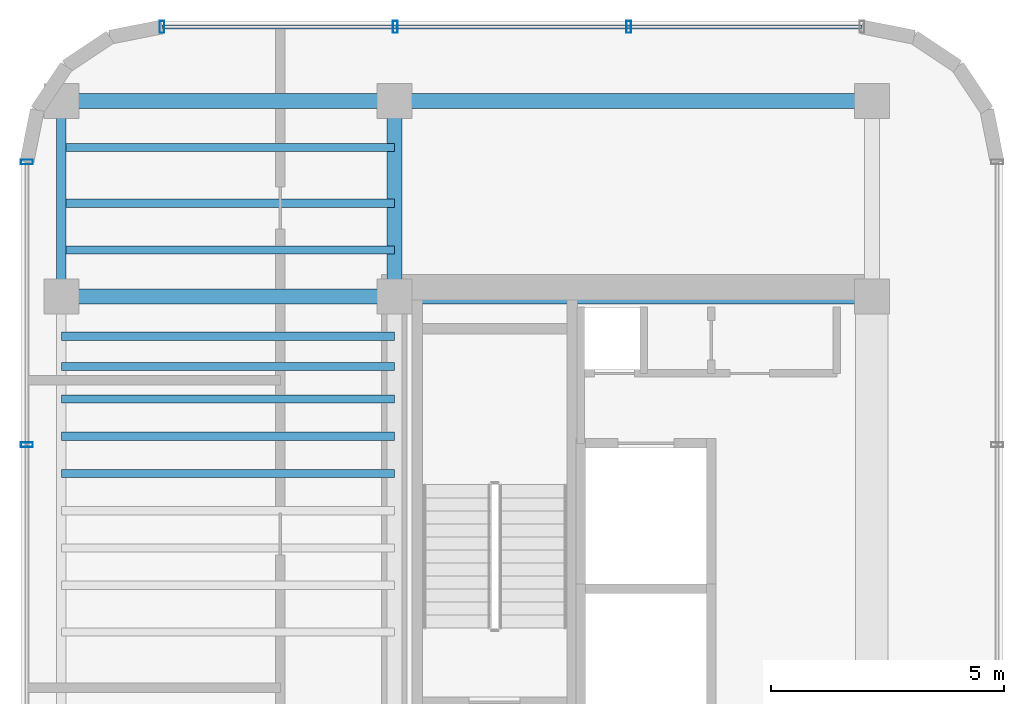
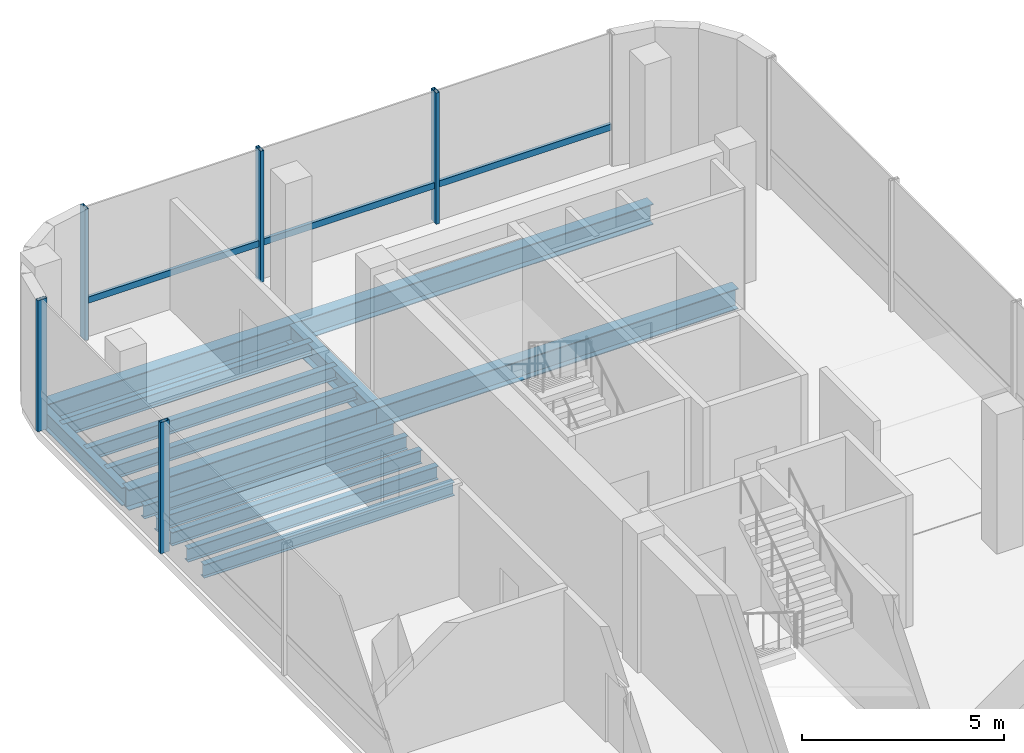
# One storey, part 7 of 11: 14 beams, 6 members, 2 elements without a shape of their own.
"""IFC4 building model written with IfcOpenShell, lengths in metres."""

import ifcopenshell
import ifcopenshell.guid

model = None  # the IFC model being written
_history = None  # IfcOwnerHistory: only IFC2X3 demands one
_inside = {}  # id of a spatial element -> (the spatial element, [elements in it])
_under = {}  # id of a project, library or spatial element -> (it, [spatial elements below it])
_declared = {}  # id of a project -> (the project, [libraries it declares])
_typed = {}  # id of a type object -> (the type object, [elements of that type])
_made_of = {}  # id of a material, layer set ... -> (it, [elements and type objects made of it])


def new_model(schema):
    """Start an empty IFC model of exactly this schema.

    Asked for "IFC4X3", IfcOpenShell would pick the latest addendum, in which some entities
    have other attributes; the version numbers below select the first issue.
    IFC2X3 requires an IfcOwnerHistory on every rooted entity: one is made here for all.
    """
    global model, _history
    if schema == "IFC4X3":
        model = ifcopenshell.file(schema_version=(4, 3, 0, 0))
    else:
        model = ifcopenshell.file(schema=schema)
    _inside.clear()
    _under.clear()
    _declared.clear()
    _typed.clear()
    _made_of.clear()
    _history = None
    if model.schema == "IFC2X3":
        org = make("IfcOrganization", Name="unknown")
        user = make(
            "IfcPersonAndOrganization",
            ThePerson=make("IfcPerson", FamilyName="unknown"),
            TheOrganization=org,
        )
        app = make(
            "IfcApplication",
            ApplicationDeveloper=org,
            Version="unknown",
            ApplicationFullName="unknown",
            ApplicationIdentifier="unknown",
        )
        _history = make(
            "IfcOwnerHistory",
            OwningUser=user,
            OwningApplication=app,
            ChangeAction="ADDED",
            CreationDate=0,
        )
    return model


def make(cls, **values):
    """One entity of the class cls with the attributes given. An attribute that is None is left unset."""
    return model.create_entity(
        cls, **{name: value for name, value in values.items() if value is not None}
    )


def rooted(cls, **values):
    """An entity with a GlobalId (a new one), such as an element, a storey or a relation."""
    return make(cls, GlobalId=ifcopenshell.guid.new(), OwnerHistory=_history, **values)


def si_unit(unit_type, name, prefix=None):
    """IfcSIUnit, for example si_unit("LENGTHUNIT", "METRE", prefix="MILLI")."""
    return make("IfcSIUnit", UnitType=unit_type, Prefix=prefix, Name=name)


def assignment(units):
    """IfcUnitAssignment: the units of a project."""
    return None if units is None else make("IfcUnitAssignment", Units=units)


def point(xyz):
    """IfcCartesianPoint."""
    return None if xyz is None else make("IfcCartesianPoint", Coordinates=xyz)


def direction(xyz):
    """IfcDirection."""
    return None if xyz is None else make("IfcDirection", DirectionRatios=xyz)


def frame(location, z_axis=None, x_axis=None):
    """IfcAxis2Placement3D, a coordinate frame: its origin and axes. An axis left out is left unset."""
    return make(
        "IfcAxis2Placement3D",
        Location=point(location),
        Axis=direction(z_axis),
        RefDirection=direction(x_axis),
    )


def frame_2d(location, x_axis=None):
    """IfcAxis2Placement2D, a coordinate frame in the plane: its origin and x axis."""
    return make(
        "IfcAxis2Placement2D", Location=point(location), RefDirection=direction(x_axis)
    )


def origin():
    """The frame at (0, 0, 0) with its axes left unset."""
    return frame((0.0, 0.0, 0.0))


def origin_2d():
    """The frame at (0, 0) in the plane with its x axis left unset."""
    return frame_2d((0.0, 0.0))


def place(relative_to, where):
    """IfcLocalPlacement: puts the frame where relative to a parent placement (None: the world)."""
    return make(
        "IfcLocalPlacement", PlacementRelTo=relative_to, RelativePlacement=where
    )


def context(
    kind, dimensions, precision=None, world=None, true_north=None, identifier=None
):
    """IfcGeometricRepresentationContext, for example the 3D "Model" context."""
    return make(
        "IfcGeometricRepresentationContext",
        ContextIdentifier=identifier,
        ContextType=kind,
        CoordinateSpaceDimension=dimensions,
        Precision=precision,
        WorldCoordinateSystem=world,
        TrueNorth=true_north,
    )


def subcontext(parent, identifier, kind, view, scale=None):
    """IfcGeometricRepresentationSubContext, for example "Body" below "Model"."""
    return make(
        "IfcGeometricRepresentationSubContext",
        ContextIdentifier=identifier,
        ContextType=kind,
        ParentContext=parent,
        TargetScale=scale,
        TargetView=view,
    )


def project(units=None, contexts=None):
    """IfcProject with its units and contexts."""
    return rooted(
        "IfcProject",
        Name="project",
        RepresentationContexts=contexts,
        UnitsInContext=assignment(units),
    )


def spatial(cls, under=None, at=None, **own):
    """A site, building, storey or space (cls), placed at a placement, below another one or the project."""
    s = rooted(cls, ObjectPlacement=at, **own)
    if under is not None:
        _under.setdefault(under.id(), (under, []))[1].append(s)
    return s


def profile(cls, at=None, kind="AREA", **sizes):
    """A parametric profile (cls). Its sizes go by their IFC names, for example OverallWidth=200.0."""
    return make(cls, ProfileType=kind, Position=at, **sizes)


def hollow_rectangle(**sizes):
    """IfcRectangleHollowProfileDef."""
    return profile("IfcRectangleHollowProfileDef", **sizes)


def i_section(**sizes):
    """IfcIShapeProfileDef."""
    return profile("IfcIShapeProfileDef", **sizes)


def extrude(swept, where, along, depth):
    """IfcExtrudedAreaSolid: the profile swept, set in the frame where, extruded along a direction by depth."""
    return make(
        "IfcExtrudedAreaSolid",
        SweptArea=swept,
        Position=where,
        ExtrudedDirection=direction(along),
        Depth=depth,
    )


def shape(context_of_items, identifier, shape_type, items):
    """IfcShapeRepresentation: the items that make up one representation, for example the "Body"."""
    return make(
        "IfcShapeRepresentation",
        ContextOfItems=context_of_items,
        RepresentationIdentifier=identifier,
        RepresentationType=shape_type,
        Items=items,
    )


def source(mapping_origin, context_of_items, identifier, shape_type, items):
    """IfcRepresentationMap: a shape defined once, which mapped items show again and again."""
    return make(
        "IfcRepresentationMap",
        MappingOrigin=mapping_origin,
        MappedRepresentation=shape(context_of_items, identifier, shape_type, items),
    )


def transform(
    local_origin,
    x_axis=None,
    y_axis=None,
    z_axis=None,
    scale=None,
    scale2=None,
    scale3=None,
    uniform=True,
):
    """IfcCartesianTransformationOperator3D, or its non-uniform kind. x_axis, y_axis, z_axis: its Axis1, 2, 3."""
    if uniform:
        return make(
            "IfcCartesianTransformationOperator3D",
            Axis1=direction(x_axis),
            Axis2=direction(y_axis),
            LocalOrigin=point(local_origin),
            Scale=scale,
            Axis3=direction(z_axis),
        )
    return make(
        "IfcCartesianTransformationOperator3DnonUniform",
        Axis1=direction(x_axis),
        Axis2=direction(y_axis),
        LocalOrigin=point(local_origin),
        Scale=scale,
        Axis3=direction(z_axis),
        Scale2=scale2,
        Scale3=scale3,
    )


def mapped(mapping_source, mapping_target):
    """IfcMappedItem: shows the shape of a source again, moved by a transform."""
    return make(
        "IfcMappedItem", MappingSource=mapping_source, MappingTarget=mapping_target
    )


def material(Name=None, Category=None):
    """IfcMaterial."""
    return make("IfcMaterial", Name=Name, Category=Category)


def material_profile(
    of_material, cross_section, Name=None, Category=None, Priority=None
):
    """IfcMaterialProfile: a cross section and its material."""
    return make(
        "IfcMaterialProfile",
        Name=Name,
        Material=of_material,
        Profile=cross_section,
        Priority=Priority,
        Category=Category,
    )


def profile_set(profiles, Name=None, composite=None):
    """IfcMaterialProfileSet."""
    return make(
        "IfcMaterialProfileSet",
        Name=Name,
        MaterialProfiles=profiles,
        CompositeProfile=composite,
    )


def made_of(thing, what):
    """Note that an element or type object is made of a material, layer set ...; save() writes the relation."""
    if what is not None:
        _made_of.setdefault(what.id(), (what, []))[1].append(thing)
    return thing


def type_object(cls, material=None, **own):
    """A type object (cls), such as IfcWallType, which elements share."""
    return made_of(rooted(cls, **own), material)


def element(
    cls,
    number,
    at=None,
    inside=None,
    cuts=None,
    type_object=None,
    material=None,
    context=None,
    identifier="Body",
    shape_type=None,
    held_by="IfcProductDefinitionShape",
    body=None,
    shapes=None,
    **own,
):
    """One element of the class cls, such as IfcWall. Its Tag is "e" and its number.

    at: its placement. inside: the storey or other place that contains it. cuts: it is an
    opening in that element (IfcRelVoidsElement). A single representation is given by context,
    identifier, shape_type and body (its items); several are given by shapes. held_by: the class
    of the entity that holds the representations. save() writes the other relations.
    """
    e = rooted(cls, Tag="e%d" % number, ObjectPlacement=at, **own)
    if body is not None:
        shapes = [shape(context, identifier, shape_type, body)]
    if shapes is not None:
        e.Representation = make(held_by, Representations=shapes)
    if inside is not None:
        _inside.setdefault(inside.id(), (inside, []))[1].append(e)
    if cuts is not None:
        rooted(
            "IfcRelVoidsElement", RelatingBuildingElement=cuts, RelatedOpeningElement=e
        )
    if type_object is not None:
        _typed.setdefault(type_object.id(), (type_object, []))[1].append(e)
    return made_of(e, material)


def aggregate(whole, parts):
    """IfcRelAggregates: a whole, such as a stair, and the parts it consists of."""
    return rooted("IfcRelAggregates", RelatingObject=whole, RelatedObjects=parts)


def save(model, path):
    """Write the relations noted so far, then the file.

    IfcRelAggregates (storeys below a building ...), IfcRelContainedInSpatialStructure (elements
    in a storey), IfcRelDefinesByType, IfcRelAssociatesMaterial and IfcRelDeclares: one each for
    every whole, place, type object, material and project.
    """
    for whole, parts in _under.values():
        aggregate(whole, parts)
    for where, things in _inside.values():
        rooted(
            "IfcRelContainedInSpatialStructure",
            RelatedElements=things,
            RelatingStructure=where,
        )
    for kind, things in _typed.values():
        rooted("IfcRelDefinesByType", RelatedObjects=things, RelatingType=kind)
    for what, things in _made_of.values():
        rooted("IfcRelAssociatesMaterial", RelatedObjects=things, RelatingMaterial=what)
    for by, libraries in _declared.values():
        rooted("IfcRelDeclares", RelatingContext=by, RelatedDefinitions=libraries)
    model.write(path)


model = new_model("IFC4")

# Units and contexts
model_context = context("Model", 3, precision=1e-05, world=origin(), true_north=direction((0.0, 1.0)))
body_context = subcontext(model_context, "Body", "Model", "MODEL_VIEW")
ifc_project = project(units=[si_unit("LENGTHUNIT", "METRE"), si_unit("AREAUNIT", "SQUARE_METRE"), si_unit("VOLUMEUNIT", "CUBIC_METRE"), si_unit("PLANEANGLEUNIT", "RADIAN"), si_unit("MASSUNIT", "GRAM", prefix="KILO")], contexts=[model_context])

# Site, building, storey
site_placement = place(None, origin())
site = spatial("IfcSite", under=ifc_project, at=site_placement, CompositionType="ELEMENT")
building_placement = place(site_placement, origin())
building = spatial("IfcBuilding", under=site, at=building_placement, Name="Valdorenza Pilgrim Sanctuary Tower", CompositionType="ELEMENT")
storey_placement = place(building_placement, frame((0.0, 0.0, 299.39990234375)))
storey = spatial("IfcBuildingStorey", under=building, at=storey_placement, Name="L78", CompositionType="ELEMENT", Elevation=299.39990234375)

# Beams
ifc_material_1 = material(Name="Steel ASTM A992 Grade 50", Category="steel")
ifc_material_profile_1 = material_profile(ifc_material_1, i_section(OverallWidth=0.323974609375, OverallDepth=0.611083984375, WebThickness=0.0126953125, FlangeThickness=0.01904296875, at=origin_2d()), Name="W24X104")
ifc_profile_set_1 = profile_set([ifc_material_profile_1], Name="Steel ASTM A992 Grade 50")
beam_type_1 = type_object("IfcBeamType", Name="STR-BM-GRD-W24B", PredefinedType="BEAM", material=ifc_profile_set_1)
shared_shape_1 = source(origin(), body_context, "Body", "SweptSolid", [
    extrude(i_section(OverallWidth=0.323974609375, OverallDepth=0.611083984375, WebThickness=0.0126953125, FlangeThickness=0.01904296875, at=origin_2d()), origin(), (0.0, 0.0, 1.0), 4.199951171875),
])
beam_1_placement = place(storey_placement, frame((-22.64990234375, 10.60009765625, -0.54541015625), z_axis=(0.0, 1.0, 0.0), x_axis=(-1.0, 0.0, 0.0)))
element("IfcBeam", 1, at=beam_1_placement, inside=storey, type_object=beam_type_1, Name="L78 Core Tie Girder CA-W-N1N2", PredefinedType="BEAM", context=body_context, shape_type="MappedRepresentation", body=[
    mapped(shared_shape_1, transform((0.0, 0.0, 0.0), x_axis=(1.0, 0.0, 0.0), y_axis=(0.0, 1.0, 0.0), z_axis=(0.0, 0.0, 1.0), scale=1.0)),
])
ifc_material_profile_2 = material_profile(ifc_material_1, i_section(OverallWidth=0.2109375, OverallDepth=0.5390625, WebThickness=0.01171875, FlangeThickness=0.018798828125, at=origin_2d()), Name="W21X73")
ifc_profile_set_2 = profile_set([ifc_material_profile_2], Name="Steel ASTM A992 Grade 50")
beam_type_2 = type_object("IfcBeamType", Name="STR-BM-SPN-W21B", PredefinedType="SPANDREL", material=ifc_profile_set_2)
shared_shape_2 = source(origin(), body_context, "Body", "SweptSolid", [
    extrude(i_section(OverallWidth=0.2109375, OverallDepth=0.5390625, WebThickness=0.01171875, FlangeThickness=0.018798828125, at=origin_2d()), origin(), (0.0, 0.0, 1.0), 4.199951171875),
])
beam_2_placement = place(storey_placement, frame((-29.800048828125, 10.60009765625, -0.509521484375), z_axis=(0.0, 1.0, 0.0), x_axis=(-1.0, 0.0, 0.0)))
element("IfcBeam", 2, at=beam_2_placement, inside=storey, type_object=beam_type_2, Name="L78 Spandrel Beam WA-W-N1N2", PredefinedType="SPANDREL", context=body_context, shape_type="MappedRepresentation", body=[
    mapped(shared_shape_2, transform((0.0, 0.0, 0.0), x_axis=(1.0, 0.0, 0.0), y_axis=(0.0, 1.0, 0.0), z_axis=(0.0, 0.0, 1.0), scale=1.0)),
])
ifc_material_profile_3 = material_profile(ifc_material_1, i_section(OverallWidth=0.177978515625, OverallDepth=0.406005859375, WebThickness=0.0078125, FlangeThickness=0.0126953125, at=origin_2d()), Name="W16X40")
ifc_profile_set_3 = profile_set([ifc_material_profile_3], Name="Steel ASTM A992 Grade 50")
beam_type_3 = type_object("IfcBeamType", Name="STR-BM-JST-W16", PredefinedType="JOIST", material=ifc_profile_set_3)
shared_shape_3 = source(origin(), body_context, "Body", "SweptSolid", [
    extrude(i_section(OverallWidth=0.177978515625, OverallDepth=0.406005859375, WebThickness=0.0078125, FlangeThickness=0.0126953125, at=origin_2d()), origin(), (0.0, 0.0, 1.0), 7.150146484375),
])
for number, where, z_axis, x_axis, name in (
    (3, (-29.800048828125, 6.800048828125, -0.44287109375), (1.0, 0.0, 0.0), (0.0, 1.0, 0.0), "L78 Composite Floor Joist JST-WA-19"),
    (4, (-29.800048828125, 7.60009765625, -0.44287109375), (1.0, 0.0, 0.0), (0.0, 1.0, 0.0), "L78 Composite Floor Joist JST-WA-20"),
    (5, (-29.800048828125, 8.39990234375, -0.44287109375), (1.0, 0.0, 0.0), (0.0, 1.0, 0.0), "L78 Composite Floor Joist JST-WA-21"),
    (6, (-29.800048828125, 9.10009765625, -0.44287109375), (1.0, 0.0, 0.0), (0.0, 1.0, 0.0), "L78 Composite Floor Joist JST-WA-22"),
    (7, (-29.800048828125, 9.75, -0.44287109375), (1.0, 0.0, 0.0), (0.0, 1.0, 0.0), "L78 Composite Floor Joist JST-WA-23"),
    (8, (-29.800048828125, 11.60009765625, -0.44287109375), (1.0, 0.0, 0.0), (0.0, 1.0, 0.0), "L78 Composite Floor Joist JST-WA-24"),
    (9, (-29.800048828125, 12.60009765625, -0.44287109375), (1.0, 0.0, 0.0), (0.0, 1.0, 0.0), "L78 Composite Floor Joist JST-WA-25"),
    (10, (-29.800048828125, 13.800048828125, -0.44287109375), (1.0, 0.0, 0.0), (0.0, 1.0, 0.0), "L78 Composite Floor Joist JST-WA-26"),
):
    element("IfcBeam", number, at=place(storey_placement, frame(where, z_axis=z_axis, x_axis=x_axis)), inside=storey, type_object=beam_type_3, Name=name, PredefinedType="JOIST", context=body_context, shape_type="MappedRepresentation", body=[
        mapped(shared_shape_3, transform((0.0, 0.0, 0.0), x_axis=(1.0, 0.0, 0.0), y_axis=(0.0, 1.0, 0.0), z_axis=(0.0, 0.0, 1.0), scale=1.0)),
    ])
ifc_material_profile_4 = material_profile(ifc_material_1, i_section(OverallWidth=0.326904296875, OverallDepth=0.6220703125, WebThickness=0.015380859375, FlangeThickness=0.0244140625, at=origin_2d()), Name="W24X131")
ifc_profile_set_4 = profile_set([ifc_material_profile_4], Name="Steel ASTM A992 Grade 50")
beam_type_4 = type_object("IfcBeamType", Name="STR-BM-GRD-W24A", PredefinedType="BEAM", material=ifc_profile_set_4)
shared_shape_4 = source(origin(), body_context, "Body", "SweptSolid", [
    extrude(i_section(OverallWidth=0.326904296875, OverallDepth=0.6220703125, WebThickness=0.015380859375, FlangeThickness=0.0244140625, at=origin_2d()), origin(), (0.0, 0.0, 1.0), 7.150146484375),
])
for number, where, z_axis, x_axis, name in (
    (11, (-29.800048828125, 10.60009765625, -0.55078125), (1.0, 0.0, 0.0), (0.0, 1.0, 0.0), "L78 Floor Girder WA-XW-N1"),
    (12, (-29.800048828125, 14.800048828125, -0.55078125), (1.0, 0.0, 0.0), (0.0, 1.0, 0.0), "L78 Floor Girder WA-XW-N2"),
):
    element("IfcBeam", number, at=place(storey_placement, frame(where, z_axis=z_axis, x_axis=x_axis)), inside=storey, type_object=beam_type_4, Name=name, PredefinedType="BEAM", context=body_context, shape_type="MappedRepresentation", body=[
        mapped(shared_shape_4, transform((0.0, 0.0, 0.0), x_axis=(1.0, 0.0, 0.0), y_axis=(0.0, 1.0, 0.0), z_axis=(0.0, 0.0, 1.0), scale=1.0)),
    ])
shared_shape_5 = source(origin(), body_context, "Body", "SweptSolid", [
    extrude(i_section(OverallWidth=0.326904296875, OverallDepth=0.6220703125, WebThickness=0.015380859375, FlangeThickness=0.0244140625, at=origin_2d()), origin(), (0.0, 0.0, 1.0), 10.25),
])
for number, where, z_axis, x_axis, name in (
    (13, (-22.64990234375, 10.60009765625, -0.55078125), (1.0, 0.0, 0.0), (0.0, 1.0, 0.0), "L78 Floor Girder CA-XC-N1"),
    (14, (-22.64990234375, 14.800048828125, -0.55078125), (1.0, 0.0, 0.0), (0.0, 1.0, 0.0), "L78 Floor Girder CA-XC-N2"),
):
    element("IfcBeam", number, at=place(storey_placement, frame(where, z_axis=z_axis, x_axis=x_axis)), inside=storey, type_object=beam_type_4, Name=name, PredefinedType="BEAM", context=body_context, shape_type="MappedRepresentation", body=[
        mapped(shared_shape_5, transform((0.0, 0.0, 0.0), x_axis=(1.0, 0.0, 0.0), y_axis=(0.0, 1.0, 0.0), z_axis=(0.0, 0.0, 1.0), scale=1.0)),
    ])

# Curtain wall, member
ifc_material_2 = material(Name="Curtain-wall IGU glazing", Category="glass")
curtain_wall_type = type_object("IfcCurtainWallType", Name="CW-SYS-06", PredefinedType="NOTDEFINED", material=ifc_material_2)
curtain_wall_1_placement = place(storey_placement, origin())
curtain_wall_1 = element("IfcCurtainWall", 15, at=curtain_wall_1_placement, inside=storey, type_object=curtain_wall_type, Name="L78 Curtain Wall CW-L78-1-6", PredefinedType="NOTDEFINED")
ifc_material_3 = material(Name="Anodised aluminium AW-6060", Category="aluminium")
ifc_material_profile_5 = material_profile(ifc_material_3, hollow_rectangle(XDim=0.090087890625, YDim=0.18994140625, WallThickness=0.00439453125, at=origin_2d()), Name="ALU-T 190x90x4.5")
ifc_profile_set_5 = profile_set([ifc_material_profile_5], Name="Anodised aluminium AW-6060")
member_type_1 = type_object("IfcMemberType", Name="CW-TRN-06", PredefinedType="USERDEFINED", material=ifc_profile_set_5)
shared_shape_6 = source(origin(), body_context, "Body", "SweptSolid", [
    extrude(hollow_rectangle(XDim=0.090087890625, YDim=0.18994140625, WallThickness=0.00439453125, at=origin_2d()), origin(), (0.0, 0.0, 1.0), 15.0283203125),
])
member_1_placement = place(storey_placement, frame((-27.63916015625, 16.389892578125, 1.1201171875), z_axis=(1.0, 0.0, 0.0), x_axis=(0.0, 1.0, 0.0)))
member_1 = element("IfcMember", 16, at=member_1_placement, type_object=member_type_1, Name="CW-L78-1-6 Transom 1", ObjectType="TRANSOM", PredefinedType="USERDEFINED", context=body_context, shape_type="MappedRepresentation", body=[
    mapped(shared_shape_6, transform((0.0, 0.0, 0.0), x_axis=(1.0, 0.0, 0.0), y_axis=(0.0, 1.0, 0.0), z_axis=(0.0, 0.0, 1.0), scale=1.0)),
])

# Curtain wall, members
curtain_wall_2_placement = place(storey_placement, origin())
curtain_wall_2 = element("IfcCurtainWall", 17, at=curtain_wall_2_placement, inside=storey, type_object=curtain_wall_type, Name="L78 Curtain Wall CW-L78-1-1", PredefinedType="NOTDEFINED")
ifc_material_profile_6 = material_profile(ifc_material_3, hollow_rectangle(XDim=0.10009765625, YDim=0.260009765625, WallThickness=0.006103515625, at=origin_2d()), Name="ALU-M 260x100x6")
ifc_profile_set_6 = profile_set([ifc_material_profile_6], Name="Anodised aluminium AW-6060")
member_type_2 = type_object("IfcMemberType", Name="CW-MUL-06", PredefinedType="MULLION", material=ifc_profile_set_6)
shared_shape_7 = source(origin(), body_context, "Body", "SweptSolid", [
    extrude(hollow_rectangle(XDim=0.10009765625, YDim=0.260009765625, WallThickness=0.006103515625, at=origin_2d()), origin(), (0.0, 0.0, 1.0), 3.960205078125),
])
member_2_placement = place(storey_placement, frame((-30.5400390625, 7.419677734375, 0.0), z_axis=(0.0, 0.0, 1.0), x_axis=(0.0, 1.0, 0.0)))
member_2 = element("IfcMember", 18, at=member_2_placement, type_object=member_type_2, Name="CW-L78-1-1 Mullion 4", PredefinedType="MULLION", context=body_context, shape_type="MappedRepresentation", body=[
    mapped(shared_shape_7, transform((0.0, 0.0, 0.0), x_axis=(1.0, 0.0, 0.0), y_axis=(0.0, 1.0, 0.0), z_axis=(0.0, 0.0, 1.0), scale=1.0)),
])
member_3_placement = place(storey_placement, frame((-30.5400390625, 13.4892578125, 0.0), z_axis=(0.0, 0.0, 1.0), x_axis=(0.0, 1.0, 0.0)))
member_3 = element("IfcMember", 19, at=member_3_placement, type_object=member_type_2, Name="CW-L78-1-1 Mullion 5", PredefinedType="MULLION", context=body_context, shape_type="MappedRepresentation", body=[
    mapped(shared_shape_7, transform((0.0, 0.0, 0.0), x_axis=(1.0, 0.0, 0.0), y_axis=(0.0, 1.0, 0.0), z_axis=(0.0, 0.0, 1.0), scale=1.0)),
])
aggregate(curtain_wall_2, [member_2, member_3])

# Member
member_4_placement = place(storey_placement, frame((-27.63916015625, 16.389892578125, 0.0), z_axis=(0.0, 0.0, 1.0), x_axis=(1.0, 0.0, 0.0)))
member_4 = element("IfcMember", 20, at=member_4_placement, type_object=member_type_2, Name="CW-L78-1-6 Mullion 1", PredefinedType="MULLION", context=body_context, shape_type="MappedRepresentation", body=[
    mapped(shared_shape_7, transform((0.0, 0.0, 0.0), x_axis=(1.0, 0.0, 0.0), y_axis=(0.0, 1.0, 0.0), z_axis=(0.0, 0.0, 1.0), scale=1.0)),
])

member_5_placement = place(storey_placement, frame((-22.629638671875, 16.389892578125, 0.0), z_axis=(0.0, 0.0, 1.0), x_axis=(1.0, 0.0, 0.0)))
member_5 = element("IfcMember", 21, at=member_5_placement, type_object=member_type_2, Name="CW-L78-1-6 Mullion 2", PredefinedType="MULLION", context=body_context, shape_type="MappedRepresentation", body=[
    mapped(shared_shape_7, transform((0.0, 0.0, 0.0), x_axis=(1.0, 0.0, 0.0), y_axis=(0.0, 1.0, 0.0), z_axis=(0.0, 0.0, 1.0), scale=1.0)),
])

member_6_placement = place(storey_placement, frame((-17.620361328125, 16.389892578125, 0.0), z_axis=(0.0, 0.0, 1.0), x_axis=(1.0, 0.0, 0.0)))
member_6 = element("IfcMember", 22, at=member_6_placement, type_object=member_type_2, Name="CW-L78-1-6 Mullion 3", PredefinedType="MULLION", context=body_context, shape_type="MappedRepresentation", body=[
    mapped(shared_shape_7, transform((0.0, 0.0, 0.0), x_axis=(1.0, 0.0, 0.0), y_axis=(0.0, 1.0, 0.0), z_axis=(0.0, 0.0, 1.0), scale=1.0)),
])

aggregate(curtain_wall_1, [member_4, member_5, member_6, member_1])

save(model, "model.ifc")
